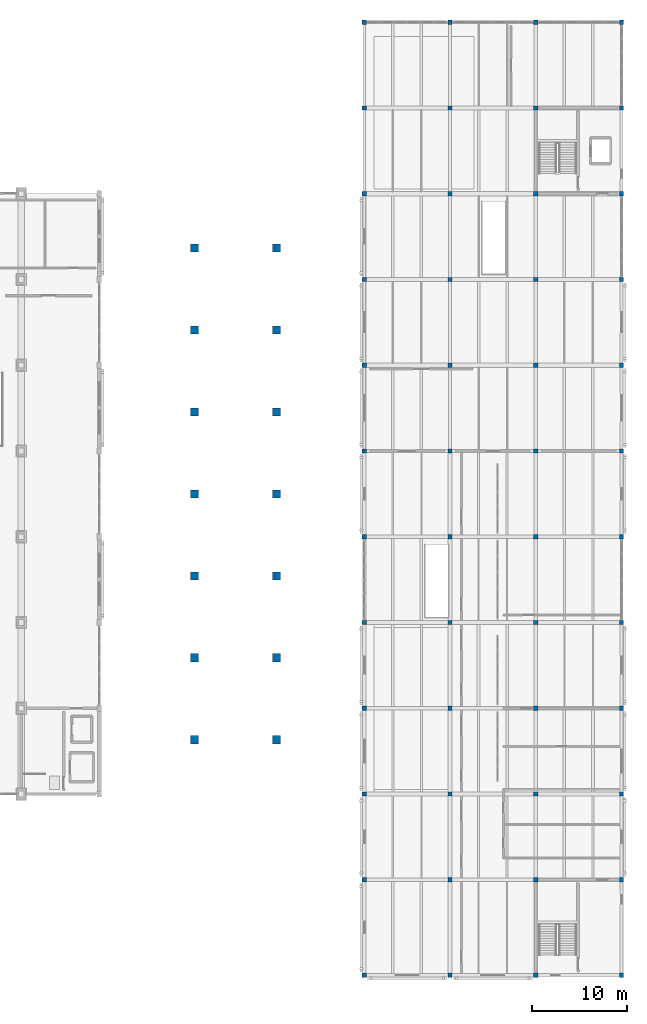
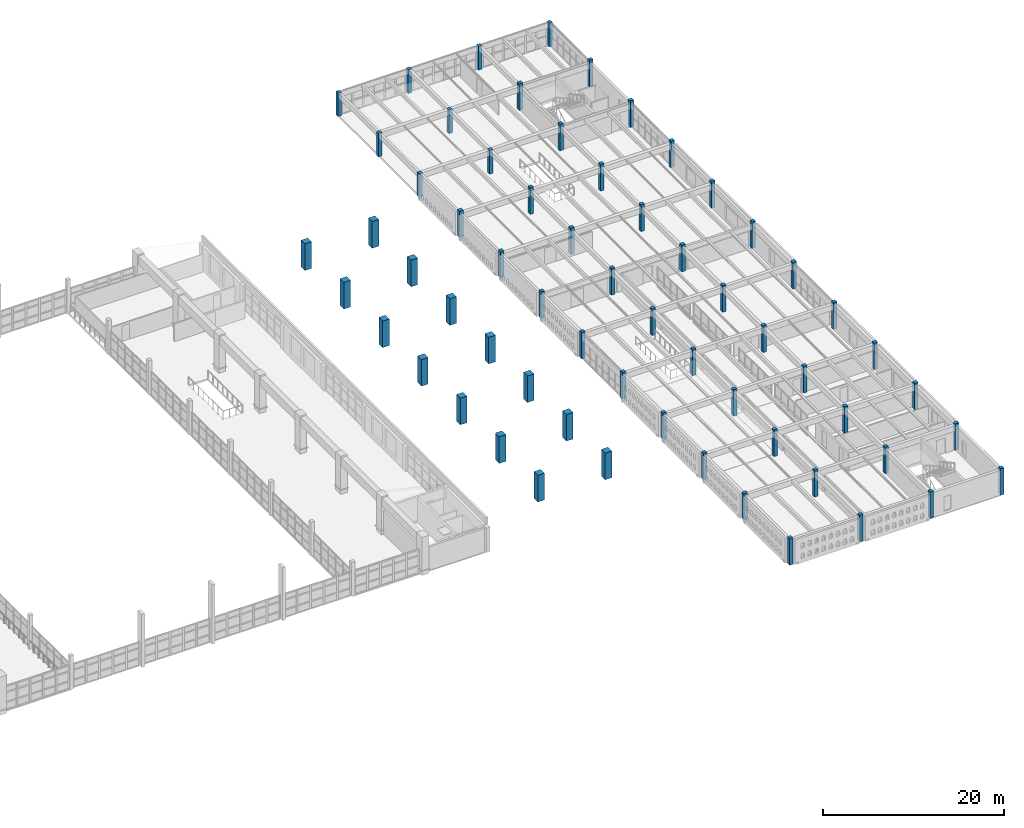
# One storey, part 2 of 80: 62 columns.
"""IFC4 building model written with IfcOpenShell, lengths in metres."""

from ifc_helpers import new_model, si_unit, direction, frame, origin, origin_2d, place, context, subcontext, project, spatial, rectangle, extrude, material, material_profile, profile_set, type_object, element, save


model = new_model("IFC4")

# Units and contexts
model_context = context("Model", 3, precision=1e-05, world=origin(), true_north=direction((0.0, 1.0)))
body_context = subcontext(model_context, "Body", "Model", "MODEL_VIEW")
ifc_project = project(units=[si_unit("LENGTHUNIT", "METRE"), si_unit("AREAUNIT", "SQUARE_METRE"), si_unit("VOLUMEUNIT", "CUBIC_METRE"), si_unit("PLANEANGLEUNIT", "RADIAN"), si_unit("MASSUNIT", "GRAM", prefix="KILO")], contexts=[model_context])

# Site, building, storey
site_placement = place(None, origin())
site = spatial("IfcSite", under=ifc_project, at=site_placement, CompositionType="ELEMENT")
building_placement = place(site_placement, origin())
building = spatial("IfcBuilding", under=site, at=building_placement, Name="Ornek Quay Market", CompositionType="ELEMENT")
storey_placement = place(building_placement, frame((0.0, 0.0, 8.39990234375)))
storey = spatial("IfcBuildingStorey", under=building, at=storey_placement, Name="L02", CompositionType="ELEMENT", Elevation=8.39990234375)

# Columns
ifc_material = material(Name="Concrete C40/50", Category="concrete")
ifc_material_profile_1 = material_profile(ifc_material, rectangle(XDim=0.449951171875, YDim=0.449951171875, at=origin_2d()), Name="RC 450x450", Category="concrete")
ifc_profile_set_1 = profile_set([ifc_material_profile_1], Name="Concrete C40/50")
column_type_1 = type_object("IfcColumnType", Name="COL-RC-450x450", PredefinedType="COLUMN", material=ifc_profile_set_1)
for number, where, z_axis, x_axis, name in (
    (1, (153.0, 10.0, 0.0), (0.0, 0.0, 1.0), (1.0, 0.0, 0.0), "Column C-45-045"),
    (2, (153.0, 20.0, 0.0), (0.0, 0.0, 1.0), (1.0, 0.0, 0.0), "Column C-45-046"),
    (3, (153.0, 29.0, 0.0), (0.0, 0.0, 1.0), (1.0, 0.0, 0.0), "Column C-45-047"),
    (4, (153.0, 38.0, 0.0), (0.0, 0.0, 1.0), (1.0, 0.0, 0.0), "Column C-45-048"),
    (5, (153.0, 47.0, 0.0), (0.0, 0.0, 1.0), (1.0, 0.0, 0.0), "Column C-45-049"),
    (6, (153.0, 56.0, 0.0), (0.0, 0.0, 1.0), (1.0, 0.0, 0.0), "Column C-45-050"),
    (7, (153.0, 65.0, 0.0), (0.0, 0.0, 1.0), (1.0, 0.0, 0.0), "Column C-45-051"),
    (8, (153.0, 74.0, 0.0), (0.0, 0.0, 1.0), (1.0, 0.0, 0.0), "Column C-45-052"),
    (9, (153.0, 83.0, 0.0), (0.0, 0.0, 1.0), (1.0, 0.0, 0.0), "Column C-45-053"),
):
    element("IfcColumn", number, at=place(storey_placement, frame(where, z_axis=z_axis, x_axis=x_axis)), inside=storey, type_object=column_type_1, Name=name, PredefinedType="COLUMN", context=body_context, shape_type="SweptSolid", body=[
        extrude(rectangle(XDim=0.449951171875, YDim=0.449951171875, at=origin_2d()), origin(), (0.0, 0.0, 1.0), 3.60009765625),
    ])
for number, where, z_axis, x_axis, name in (
    (10, (153.0, 92.0, 0.0), (0.0, 0.0, 1.0), (1.0, 0.0, 0.0), "Column C-45-054"),
    (11, (153.0, 101.0, 0.0), (0.0, 0.0, 1.0), (1.0, 0.0, 0.0), "Column C-45-055"),
    (12, (153.0, 110.0, 0.0), (0.0, 0.0, 1.0), (1.0, 0.0, 0.0), "Column C-45-056"),
):
    element("IfcColumn", number, at=place(storey_placement, frame(where, z_axis=z_axis, x_axis=x_axis)), inside=storey, type_object=column_type_1, Name=name, PredefinedType="COLUMN", context=body_context, shape_type="SweptSolid", body=[
        extrude(rectangle(XDim=0.449951171875, YDim=0.449951171875, at=origin_2d()), origin(), (0.0, 0.0, 1.0), 3.2001953125),
    ])
for number, where, z_axis, x_axis, name in (
    (13, (162.0, 10.0, 0.0), (0.0, 0.0, 1.0), (1.0, 0.0, 0.0), "Column C-45-057"),
    (14, (162.0, 20.0, 0.0), (0.0, 0.0, 1.0), (1.0, 0.0, 0.0), "Column C-45-058"),
    (15, (162.0, 29.0, 0.0), (0.0, 0.0, 1.0), (1.0, 0.0, 0.0), "Column C-45-059"),
    (16, (162.0, 38.0, 0.0), (0.0, 0.0, 1.0), (1.0, 0.0, 0.0), "Column C-45-060"),
    (17, (162.0, 47.0, 0.0), (0.0, 0.0, 1.0), (1.0, 0.0, 0.0), "Column C-45-061"),
    (18, (162.0, 56.0, 0.0), (0.0, 0.0, 1.0), (1.0, 0.0, 0.0), "Column C-45-062"),
    (19, (162.0, 65.0, 0.0), (0.0, 0.0, 1.0), (1.0, 0.0, 0.0), "Column C-45-063"),
    (20, (162.0, 74.0, 0.0), (0.0, 0.0, 1.0), (1.0, 0.0, 0.0), "Column C-45-064"),
    (21, (162.0, 83.0, 0.0), (0.0, 0.0, 1.0), (1.0, 0.0, 0.0), "Column C-45-065"),
):
    element("IfcColumn", number, at=place(storey_placement, frame(where, z_axis=z_axis, x_axis=x_axis)), inside=storey, type_object=column_type_1, Name=name, PredefinedType="COLUMN", context=body_context, shape_type="SweptSolid", body=[
        extrude(rectangle(XDim=0.449951171875, YDim=0.449951171875, at=origin_2d()), origin(), (0.0, 0.0, 1.0), 3.60009765625),
    ])
for number, where, z_axis, x_axis, name in (
    (22, (162.0, 92.0, 0.0), (0.0, 0.0, 1.0), (1.0, 0.0, 0.0), "Column C-45-066"),
    (23, (162.0, 101.0, 0.0), (0.0, 0.0, 1.0), (1.0, 0.0, 0.0), "Column C-45-067"),
    (24, (162.0, 110.0, 0.0), (0.0, 0.0, 1.0), (1.0, 0.0, 0.0), "Column C-45-068"),
):
    element("IfcColumn", number, at=place(storey_placement, frame(where, z_axis=z_axis, x_axis=x_axis)), inside=storey, type_object=column_type_1, Name=name, PredefinedType="COLUMN", context=body_context, shape_type="SweptSolid", body=[
        extrude(rectangle(XDim=0.449951171875, YDim=0.449951171875, at=origin_2d()), origin(), (0.0, 0.0, 1.0), 3.2001953125),
    ])
for number, where, z_axis, x_axis, name in (
    (25, (171.0, 10.0, 0.0), (0.0, 0.0, 1.0), (1.0, 0.0, 0.0), "Column C-45-069"),
    (26, (171.0, 20.0, 0.0), (0.0, 0.0, 1.0), (1.0, 0.0, 0.0), "Column C-45-070"),
    (27, (171.0, 29.0, 0.0), (0.0, 0.0, 1.0), (1.0, 0.0, 0.0), "Column C-45-071"),
    (28, (171.0, 38.0, 0.0), (0.0, 0.0, 1.0), (1.0, 0.0, 0.0), "Column C-45-072"),
    (29, (171.0, 47.0, 0.0), (0.0, 0.0, 1.0), (1.0, 0.0, 0.0), "Column C-45-073"),
    (30, (171.0, 56.0, 0.0), (0.0, 0.0, 1.0), (1.0, 0.0, 0.0), "Column C-45-074"),
    (31, (171.0, 65.0, 0.0), (0.0, 0.0, 1.0), (1.0, 0.0, 0.0), "Column C-45-075"),
    (32, (171.0, 74.0, 0.0), (0.0, 0.0, 1.0), (1.0, 0.0, 0.0), "Column C-45-076"),
    (33, (171.0, 83.0, 0.0), (0.0, 0.0, 1.0), (1.0, 0.0, 0.0), "Column C-45-077"),
    (34, (171.0, 92.0, 0.0), (0.0, 0.0, 1.0), (1.0, 0.0, 0.0), "Column C-45-078"),
    (35, (171.0, 101.0, 0.0), (0.0, 0.0, 1.0), (1.0, 0.0, 0.0), "Column C-45-079"),
):
    element("IfcColumn", number, at=place(storey_placement, frame(where, z_axis=z_axis, x_axis=x_axis)), inside=storey, type_object=column_type_1, Name=name, PredefinedType="COLUMN", context=body_context, shape_type="SweptSolid", body=[
        extrude(rectangle(XDim=0.449951171875, YDim=0.449951171875, at=origin_2d()), origin(), (0.0, 0.0, 1.0), 3.60009765625),
    ])
column_1_placement = place(storey_placement, frame((171.0, 110.0, 0.0), z_axis=(0.0, 0.0, 1.0), x_axis=(1.0, 0.0, 0.0)))
element("IfcColumn", 36, at=column_1_placement, inside=storey, type_object=column_type_1, Name="Column C-45-080", PredefinedType="COLUMN", context=body_context, shape_type="SweptSolid", body=[
    extrude(rectangle(XDim=0.449951171875, YDim=0.449951171875, at=origin_2d()), origin(), (0.0, 0.0, 1.0), 3.2001953125),
])
for number, where, z_axis, x_axis, name in (
    (37, (180.0, 10.0, 0.0), (0.0, 0.0, 1.0), (1.0, 0.0, 0.0), "Column C-45-081"),
    (38, (180.0, 20.0, 0.0), (0.0, 0.0, 1.0), (1.0, 0.0, 0.0), "Column C-45-082"),
    (39, (180.0, 29.0, 0.0), (0.0, 0.0, 1.0), (1.0, 0.0, 0.0), "Column C-45-083"),
    (40, (180.0, 38.0, 0.0), (0.0, 0.0, 1.0), (1.0, 0.0, 0.0), "Column C-45-084"),
    (41, (180.0, 47.0, 0.0), (0.0, 0.0, 1.0), (1.0, 0.0, 0.0), "Column C-45-085"),
    (42, (180.0, 56.0, 0.0), (0.0, 0.0, 1.0), (1.0, 0.0, 0.0), "Column C-45-086"),
    (43, (180.0, 65.0, 0.0), (0.0, 0.0, 1.0), (1.0, 0.0, 0.0), "Column C-45-087"),
    (44, (180.0, 74.0, 0.0), (0.0, 0.0, 1.0), (1.0, 0.0, 0.0), "Column C-45-088"),
    (45, (180.0, 83.0, 0.0), (0.0, 0.0, 1.0), (1.0, 0.0, 0.0), "Column C-45-089"),
    (46, (180.0, 92.0, 0.0), (0.0, 0.0, 1.0), (1.0, 0.0, 0.0), "Column C-45-090"),
    (47, (180.0, 101.0, 0.0), (0.0, 0.0, 1.0), (1.0, 0.0, 0.0), "Column C-45-091"),
):
    element("IfcColumn", number, at=place(storey_placement, frame(where, z_axis=z_axis, x_axis=x_axis)), inside=storey, type_object=column_type_1, Name=name, PredefinedType="COLUMN", context=body_context, shape_type="SweptSolid", body=[
        extrude(rectangle(XDim=0.449951171875, YDim=0.449951171875, at=origin_2d()), origin(), (0.0, 0.0, 1.0), 3.60009765625),
    ])
column_2_placement = place(storey_placement, frame((180.0, 110.0, 0.0), z_axis=(0.0, 0.0, 1.0), x_axis=(1.0, 0.0, 0.0)))
element("IfcColumn", 48, at=column_2_placement, inside=storey, type_object=column_type_1, Name="Column C-45-092", PredefinedType="COLUMN", context=body_context, shape_type="SweptSolid", body=[
    extrude(rectangle(XDim=0.449951171875, YDim=0.449951171875, at=origin_2d()), origin(), (0.0, 0.0, 1.0), 3.2001953125),
])
ifc_material_profile_2 = material_profile(ifc_material, rectangle(XDim=0.85009765625, YDim=0.85009765625, at=origin_2d()), Name="RC 850x850", Category="concrete")
ifc_profile_set_2 = profile_set([ifc_material_profile_2], Name="Concrete C40/50")
column_type_2 = type_object("IfcColumnType", Name="COL-UMB-850x850", PredefinedType="COLUMN", material=ifc_profile_set_2)
for number, where, z_axis, x_axis, name in (
    (49, (135.199951171875, 34.699951171875, 0.0), (0.0, 0.0, 1.0), (1.0, 0.0, 0.0), "Umbrella column UMB-E01 (L02)"),
    (50, (135.199951171875, 43.300048828125, 0.0), (0.0, 0.0, 1.0), (1.0, 0.0, 0.0), "Umbrella column UMB-E02 (L02)"),
    (51, (135.199951171875, 51.89990234375, 0.0), (0.0, 0.0, 1.0), (1.0, 0.0, 0.0), "Umbrella column UMB-E03 (L02)"),
    (52, (135.199951171875, 60.5, 0.0), (0.0, 0.0, 1.0), (1.0, 0.0, 0.0), "Umbrella column UMB-E04 (L02)"),
    (53, (135.199951171875, 69.10009765625, 0.0), (0.0, 0.0, 1.0), (1.0, 0.0, 0.0), "Umbrella column UMB-E05 (L02)"),
    (54, (135.199951171875, 77.699951171875, 0.0), (0.0, 0.0, 1.0), (1.0, 0.0, 0.0), "Umbrella column UMB-E06 (L02)"),
    (55, (135.199951171875, 86.300048828125, 0.0), (0.0, 0.0, 1.0), (1.0, 0.0, 0.0), "Umbrella column UMB-E07 (L02)"),
    (56, (143.800048828125, 34.699951171875, 0.0), (0.0, 0.0, 1.0), (1.0, 0.0, 0.0), "Umbrella column UMB-E08 (L02)"),
    (57, (143.800048828125, 43.300048828125, 0.0), (0.0, 0.0, 1.0), (1.0, 0.0, 0.0), "Umbrella column UMB-E09 (L02)"),
    (58, (143.800048828125, 51.89990234375, 0.0), (0.0, 0.0, 1.0), (1.0, 0.0, 0.0), "Umbrella column UMB-E10 (L02)"),
    (59, (143.800048828125, 60.5, 0.0), (0.0, 0.0, 1.0), (1.0, 0.0, 0.0), "Umbrella column UMB-E11 (L02)"),
    (60, (143.800048828125, 69.10009765625, 0.0), (0.0, 0.0, 1.0), (1.0, 0.0, 0.0), "Umbrella column UMB-E12 (L02)"),
    (61, (143.800048828125, 77.699951171875, 0.0), (0.0, 0.0, 1.0), (1.0, 0.0, 0.0), "Umbrella column UMB-E13 (L02)"),
    (62, (143.800048828125, 86.300048828125, 0.0), (0.0, 0.0, 1.0), (1.0, 0.0, 0.0), "Umbrella column UMB-E14 (L02)"),
):
    element("IfcColumn", number, at=place(storey_placement, frame(where, z_axis=z_axis, x_axis=x_axis)), inside=storey, type_object=column_type_2, Name=name, PredefinedType="COLUMN", context=body_context, shape_type="SweptSolid", body=[
        extrude(rectangle(XDim=0.85009765625, YDim=0.85009765625, at=origin_2d()), origin(), (0.0, 0.0, 1.0), 3.60009765625),
    ])

save(model, "model.ifc")
